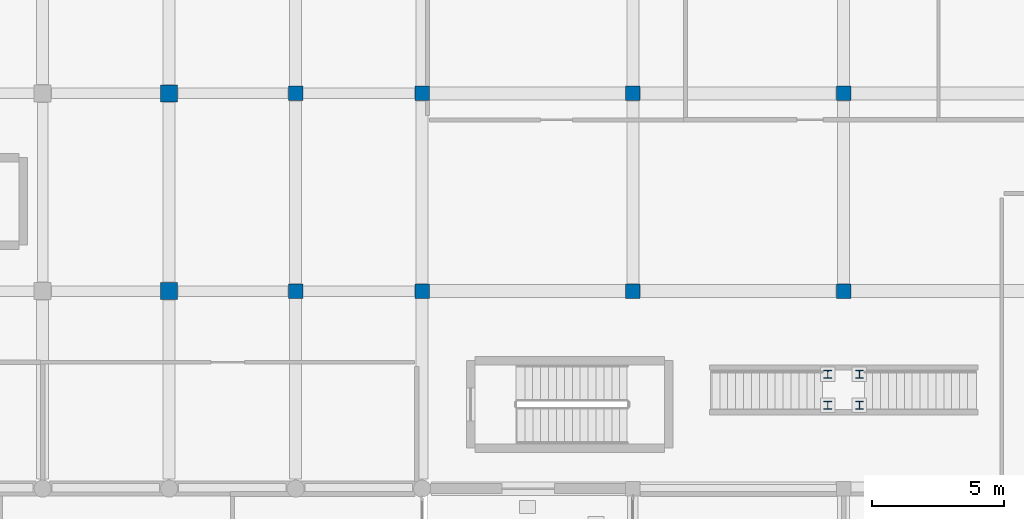
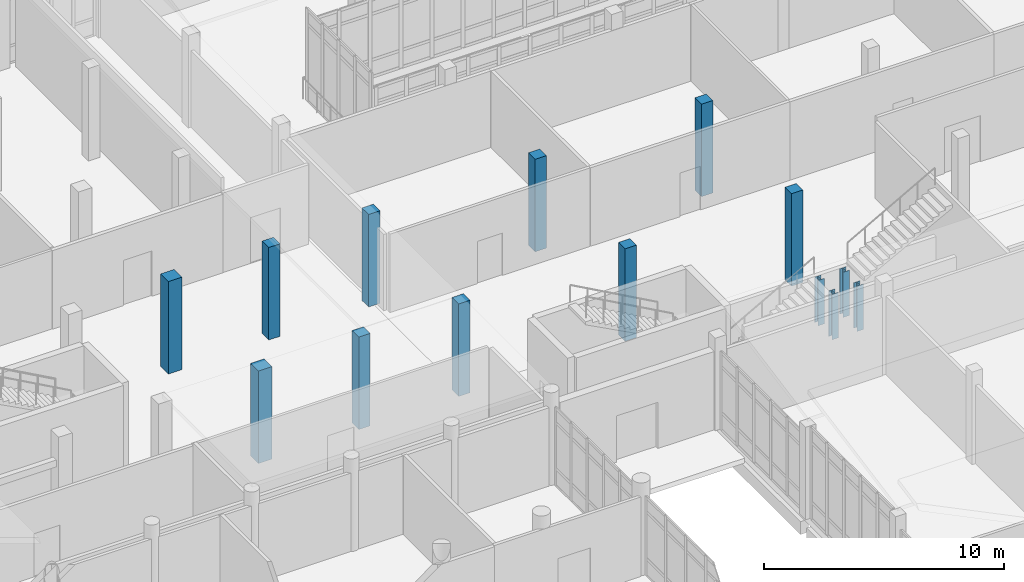
# One storey, part 19 of 173: 14 columns.
"""IFC4 building model written with IfcOpenShell, lengths in metres."""

from ifc_helpers import new_model, si_unit, direction, frame, origin, origin_2d, place, context, subcontext, project, spatial, rectangle, i_section, extrude, material, material_profile, profile_set, type_object, element, save


model = new_model("IFC4")

# Units and contexts
model_context = context("Model", 3, precision=1e-05, world=origin(), true_north=direction((0.0, 1.0)))
body_context = subcontext(model_context, "Body", "Model", "MODEL_VIEW")
ifc_project = project(units=[si_unit("LENGTHUNIT", "METRE"), si_unit("AREAUNIT", "SQUARE_METRE"), si_unit("VOLUMEUNIT", "CUBIC_METRE"), si_unit("PLANEANGLEUNIT", "RADIAN"), si_unit("MASSUNIT", "GRAM", prefix="KILO")], contexts=[model_context])

# Site, building, storey
site_placement = place(None, origin())
site = spatial("IfcSite", under=ifc_project, at=site_placement, CompositionType="ELEMENT")
building_placement = place(site_placement, origin())
building = spatial("IfcBuilding", under=site, at=building_placement, Name="Mawjan Specialist Oncology Clinic", CompositionType="ELEMENT")
storey_placement = place(building_placement, origin())
storey = spatial("IfcBuildingStorey", under=building, at=storey_placement, Name="L00", CompositionType="ELEMENT", Elevation=0.0)

# Columns
ifc_material_1 = material(Name="Concrete C45/55", Category="concrete")
ifc_material_profile_1 = material_profile(ifc_material_1, rectangle(XDim=0.550048828125, YDim=0.550048828125, at=origin_2d()), Name="RC COL 550x550", Category="concrete")
ifc_profile_set_1 = profile_set([ifc_material_profile_1], Name="Concrete C45/55")
column_type_1 = type_object("IfcColumnType", Name="C-550", PredefinedType="COLUMN", material=ifc_profile_set_1)
for number, where, z_axis, x_axis, name in (
    (1, (103.199951171875, 83.300048828125, 0.0), (0.0, 0.0, 1.0), (1.0, 0.0, 0.0), "L00 Column G-18-M"),
    (2, (103.199951171875, 90.800048828125, 0.0), (0.0, 0.0, 1.0), (1.0, 0.0, 0.0), "L00 Column G-18-N"),
    (3, (108.0, 83.300048828125, 0.0), (0.0, 0.0, 1.0), (1.0, 0.0, 0.0), "L00 Column G-19-M"),
    (4, (108.0, 90.800048828125, 0.0), (0.0, 0.0, 1.0), (1.0, 0.0, 0.0), "L00 Column G-19-N"),
    (5, (116.0, 83.300048828125, 0.0), (0.0, 0.0, 1.0), (1.0, 0.0, 0.0), "L00 Column G-20-M"),
    (6, (116.0, 90.800048828125, 0.0), (0.0, 0.0, 1.0), (1.0, 0.0, 0.0), "L00 Column G-20-N"),
    (7, (124.0, 83.300048828125, 0.0), (0.0, 0.0, 1.0), (1.0, 0.0, 0.0), "L00 Column G-21-M"),
    (8, (124.0, 90.800048828125, 0.0), (0.0, 0.0, 1.0), (1.0, 0.0, 0.0), "L00 Column G-21-N"),
):
    element("IfcColumn", number, at=place(storey_placement, frame(where, z_axis=z_axis, x_axis=x_axis)), inside=storey, type_object=column_type_1, Name=name, PredefinedType="COLUMN", context=body_context, shape_type="SweptSolid", body=[
        extrude(rectangle(XDim=0.550048828125, YDim=0.550048828125, at=origin_2d()), origin(), (0.0, 0.0, 1.0), 4.699951171875),
    ])
ifc_material_2 = material(Name="Concrete C45/55", Category="concrete")
ifc_material_profile_2 = material_profile(ifc_material_2, rectangle(XDim=0.64990234375, YDim=0.64990234375, at=origin_2d()), Name="RC COL 650x650", Category="concrete")
ifc_profile_set_2 = profile_set([ifc_material_profile_2], Name="Concrete C45/55")
column_type_2 = type_object("IfcColumnType", Name="C-650", PredefinedType="COLUMN", material=ifc_profile_set_2)
for number, where, z_axis, x_axis, name in (
    (9, (98.39990234375, 83.300048828125, 0.0), (0.0, 0.0, 1.0), (1.0, 0.0, 0.0), "L00 Column G-17-M"),
    (10, (98.39990234375, 90.800048828125, 0.0), (0.0, 0.0, 1.0), (1.0, 0.0, 0.0), "L00 Column G-17-N"),
):
    element("IfcColumn", number, at=place(storey_placement, frame(where, z_axis=z_axis, x_axis=x_axis)), inside=storey, type_object=column_type_2, Name=name, PredefinedType="COLUMN", context=body_context, shape_type="SweptSolid", body=[
        extrude(rectangle(XDim=0.64990234375, YDim=0.64990234375, at=origin_2d()), origin(), (0.0, 0.0, 1.0), 4.699951171875),
    ])
ifc_material_3 = material(Name="Structural steel S355", Category="steel")
ifc_material_profile_3 = material_profile(ifc_material_3, i_section(OverallWidth=0.300048828125, OverallDepth=0.300048828125, WebThickness=0.010986328125, FlangeThickness=0.01904296875, FilletRadius=0.027099609375, at=origin_2d()), Name="HEB 300", Category="steel")
ifc_profile_set_3 = profile_set([ifc_material_profile_3], Name="Structural steel S355")
column_type_3 = type_object("IfcColumnType", Name="SC-HEB300", PredefinedType="COLUMN", material=ifc_profile_set_3)
for number, where, z_axis, x_axis, name in (
    (11, (123.39990234375, 78.965087890625, 0.0), (0.0, 0.0, 1.0), (1.0, 0.0, 0.0), "ST-12 Landing Support Post 1"),
    (12, (124.60009765625, 78.965087890625, 0.0), (0.0, 0.0, 1.0), (1.0, 0.0, 0.0), "ST-12 Landing Support Post 2"),
    (13, (124.60009765625, 80.135009765625, 0.0), (0.0, 0.0, 1.0), (1.0, 0.0, 0.0), "ST-12 Landing Support Post 3"),
    (14, (123.39990234375, 80.135009765625, 0.0), (0.0, 0.0, 1.0), (1.0, 0.0, 0.0), "ST-12 Landing Support Post 4"),
):
    element("IfcColumn", number, at=place(storey_placement, frame(where, z_axis=z_axis, x_axis=x_axis)), inside=storey, type_object=column_type_3, Name=name, PredefinedType="COLUMN", context=body_context, shape_type="SweptSolid", body=[
        extrude(i_section(OverallWidth=0.300048828125, OverallDepth=0.300048828125, WebThickness=0.010986328125, FlangeThickness=0.01904296875, FilletRadius=0.027099609375, at=origin_2d()), origin(), (0.0, 0.0, 1.0), 2.300048828125),
    ])

save(model, "model.ifc")
